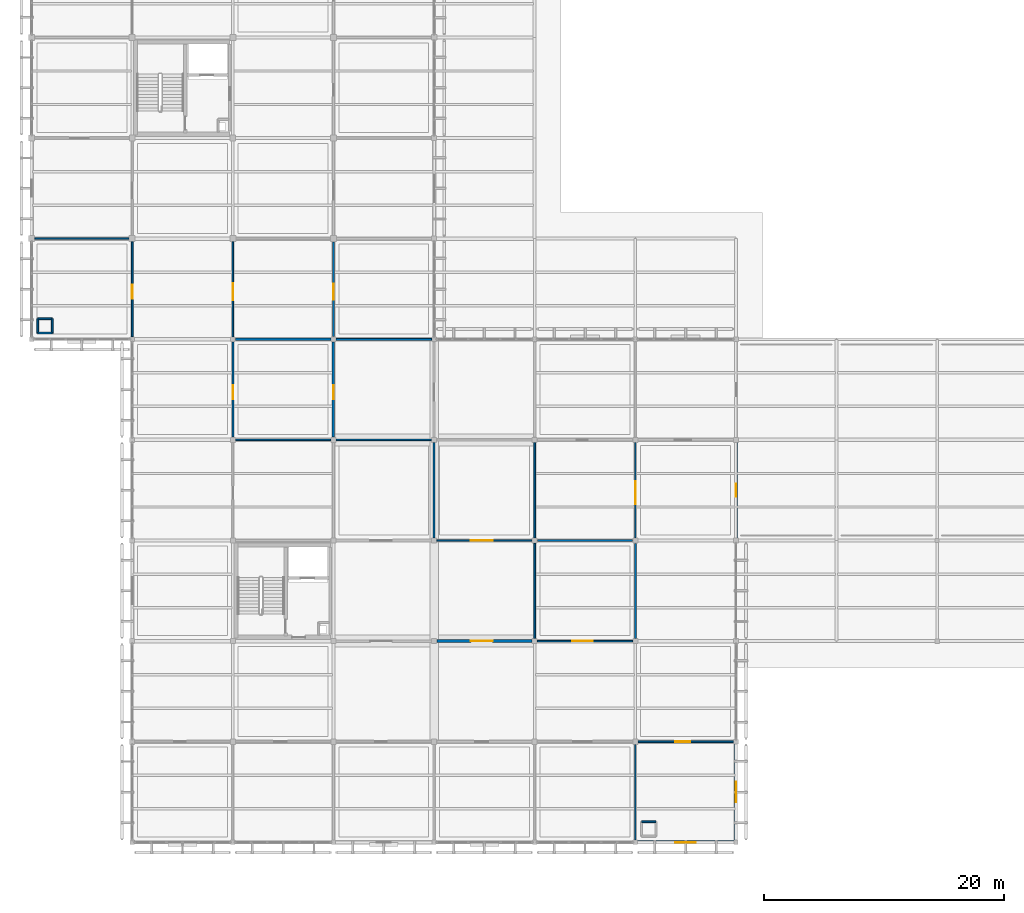
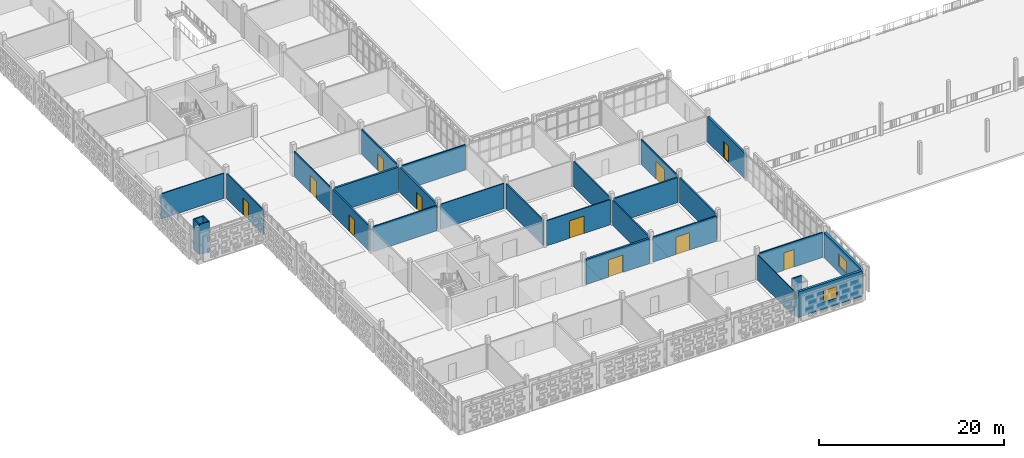
# One storey, part 97 of 166: 29 walls, 11 doors, 2 windows, 13 openings.
"""IFC4 building model written with IfcOpenShell, lengths in metres."""

from ifc_helpers import new_model, si_unit, direction, frame, frame_2d, origin, place, context, subcontext, project, spatial, rectangle, extrude, material, layer, layer_set, type_object, element, fill, save


model = new_model("IFC4")

# Units and contexts
model_context = context("Model", 3, precision=1e-05, world=origin(), true_north=direction((0.0, 1.0)))
body_context = subcontext(model_context, "Body", "Model", "MODEL_VIEW")
ifc_project = project(units=[si_unit("LENGTHUNIT", "METRE"), si_unit("AREAUNIT", "SQUARE_METRE"), si_unit("VOLUMEUNIT", "CUBIC_METRE"), si_unit("PLANEANGLEUNIT", "RADIAN"), si_unit("MASSUNIT", "GRAM", prefix="KILO")], contexts=[model_context])

# Site, building, storey
site_placement = place(None, origin())
site = spatial("IfcSite", under=ifc_project, at=site_placement, CompositionType="ELEMENT")
building_placement = place(site_placement, origin())
building = spatial("IfcBuilding", under=site, at=building_placement, Name="Varnapada Polytechnic", CompositionType="ELEMENT")
storey_placement = place(building_placement, frame((0.0, 0.0, 9.60009765625)))
storey = spatial("IfcBuildingStorey", under=building, at=storey_placement, Name="L02", CompositionType="ELEMENT", Elevation=9.60009765625)

# Walls
ifc_material_1 = material(Name="Autoclaved Aerated Concrete Block AAC-600", Category="concrete")
ifc_layer_1 = layer(ifc_material_1, 0.14990234375)
ifc_layer_set_1 = layer_set([ifc_layer_1], Name="Autoclaved Aerated Concrete Block AAC-600")
wall_type_1 = type_object("IfcWallType", Name="Interior Wall IW-02", PredefinedType="PARTITIONING", material=ifc_layer_set_1)
for number, where, z_axis, x_axis, name in (
    (1, (0.52001953125, 42.52001953125, 0.0), (0.0, 0.0, 1.0), (1.0, 0.0, 0.0), "L02 enclosed service riser wall (1,6) S"),
    (2, (1.719970703125, 42.52001953125, 0.0), (0.0, 0.0, 1.0), (0.0, 1.0, 0.0), "L02 enclosed service riser wall (1,6) E"),
    (3, (1.719970703125, 43.719970703125, 0.0), (0.0, 0.0, 1.0), (-1.0, 0.0, 0.0), "L02 enclosed service riser wall (1,6) N"),
    (4, (0.52001953125, 43.719970703125, 0.0), (0.0, 0.0, 1.0), (0.0, -1.0, 0.0), "L02 enclosed service riser wall (1,6) W"),
):
    element("IfcWall", number, at=place(storey_placement, frame(where, z_axis=z_axis, x_axis=x_axis)), inside=storey, type_object=wall_type_1, Name=name, PredefinedType="PARTITIONING", context=body_context, shape_type="SweptSolid", body=[
        extrude(rectangle(XDim=1.199951171875, YDim=0.14990234375, at=frame_2d((0.60009765625, 0.0))), origin(), (0.0, 0.0, 1.0), 3.9599609375),
    ])
wall_1_placement = place(storey_placement, frame((52.1201171875, 1.719970703125, 0.0), z_axis=(0.0, 0.0, 1.0), x_axis=(-1.0, 0.0, 0.0)))
element("IfcWall", 5, at=wall_1_placement, inside=storey, type_object=wall_type_1, Name="L02 enclosed service riser wall (7,1) N", PredefinedType="PARTITIONING", context=body_context, shape_type="SweptSolid", body=[
    extrude(rectangle(XDim=1.2001953125, YDim=0.14990234375, at=frame_2d((0.60009765625, 0.0))), origin(), (0.0, 0.0, 1.0), 3.929931640625),
])

# Wall, opening, door
wall_2_placement = place(storey_placement, frame((8.39990234375, 42.219970703125, 0.0), z_axis=(0.0, 0.0, 1.0), x_axis=(0.0, 1.0, 0.0)))
wall_2 = element("IfcWall", 6, at=wall_2_placement, inside=storey, type_object=wall_type_1, Name="L02 interior partition IW-L02-00-05-V", PredefinedType="PARTITIONING", context=body_context, shape_type="SweptSolid", body=[
    extrude(rectangle(XDim=7.909912109375, YDim=0.14990234375, at=frame_2d((3.955078125, 0.0))), origin(), (0.0, 0.0, 1.0), 3.31982421875),
])
opening_1_placement = place(wall_2_placement, frame((3.175048828125, 0.0, 0.0)))
opening_1 = element("IfcOpeningElement", 7, at=opening_1_placement, cuts=wall_2, Name="Opening D-1096", PredefinedType="OPENING", context=body_context, shape_type="SweptSolid", body=[
    extrude(rectangle(XDim=1.14990234375, YDim=2.25, at=frame_2d((0.574951171875, 1.125))), frame((0.0, 0.0849609375, 0.0), z_axis=(0.0, -1.0, 0.0), x_axis=(1.0, 0.0, 0.0)), (0.0, 0.0, 1.0), 0.169921875),
])
ifc_material_2 = material(Name="Powder-Coated Aluminium 6063-T6", Category="aluminium")
door_type_1 = type_object("IfcDoorType", Name="Interior Door ID-10", OperationType="NOTDEFINED", PredefinedType="DOOR", material=ifc_material_2)
door_1_placement = place(opening_1_placement, origin())
door_1 = element("IfcDoor", 8, at=door_1_placement, inside=storey, type_object=door_type_1, Name="L02 interior room door D-1096", OperationType="SINGLE_SWING_LEFT", OverallHeight=2.25, OverallWidth=1.14990234375, PredefinedType="DOOR", context=body_context, shape_type="SweptSolid", body=[
    extrude(rectangle(XDim=1.14990234375, YDim=2.25, at=frame_2d((0.574951171875, 1.125))), frame((0.0, 0.02490234375, 0.0), z_axis=(0.0, -1.0, 0.0), x_axis=(1.0, 0.0, 0.0)), (0.0, 0.0, 1.0), 0.050048828125),
])
fill(opening_1, door_1)

wall_3_placement = place(storey_placement, frame((25.199951171875, 42.219970703125, 0.0), z_axis=(0.0, 0.0, 1.0), x_axis=(0.0, 1.0, 0.0)))
wall_3 = element("IfcWall", 9, at=wall_3_placement, inside=storey, type_object=wall_type_1, Name="L02 interior partition IW-L02-02-05-V", PredefinedType="PARTITIONING", context=body_context, shape_type="SweptSolid", body=[
    extrude(rectangle(XDim=7.909912109375, YDim=0.14990234375, at=frame_2d((3.955078125, 0.0))), origin(), (0.0, 0.0, 1.0), 3.31982421875),
])
opening_2_placement = place(wall_3_placement, frame((3.10009765625, 0.0, 0.0)))
opening_2 = element("IfcOpeningElement", 10, at=opening_2_placement, cuts=wall_3, Name="Opening D-1114", PredefinedType="OPENING", context=body_context, shape_type="SweptSolid", body=[
    extrude(rectangle(XDim=1.300048828125, YDim=2.199951171875, at=frame_2d((0.64990234375, 1.10009765625))), frame((0.0, 0.0849609375, 0.0), z_axis=(0.0, -1.0, 0.0), x_axis=(1.0, 0.0, 0.0)), (0.0, 0.0, 1.0), 0.169921875),
])
ifc_material_3 = material(Name="Acoustic Laminated Timber Leaf", Category="wood")
door_type_2 = type_object("IfcDoorType", Name="Interior Door ID-11", OperationType="NOTDEFINED", PredefinedType="DOOR", material=ifc_material_3)
door_2_placement = place(opening_2_placement, origin())
door_2 = element("IfcDoor", 11, at=door_2_placement, inside=storey, type_object=door_type_2, Name="L02 interior room door D-1114", OperationType="SINGLE_SWING_LEFT", OverallHeight=2.199951171875, OverallWidth=1.300048828125, PredefinedType="DOOR", context=body_context, shape_type="SweptSolid", body=[
    extrude(rectangle(XDim=1.300048828125, YDim=2.199951171875, at=frame_2d((0.64990234375, 1.10009765625))), frame((0.0, 0.02490234375, 0.0), z_axis=(0.0, -1.0, 0.0), x_axis=(1.0, 0.0, 0.0)), (0.0, 0.0, 1.0), 0.050048828125),
])
fill(opening_2, door_2)

# Walls
wall_4_placement = place(storey_placement, frame((33.60009765625, 25.429931640625, 0.0), z_axis=(0.0, 0.0, 1.0), x_axis=(0.0, 1.0, 0.0)))
element("IfcWall", 12, at=wall_4_placement, inside=storey, type_object=wall_type_1, Name="L02 interior partition IW-L02-03-03-V", PredefinedType="PARTITIONING", context=body_context, shape_type="SweptSolid", body=[
    extrude(rectangle(XDim=7.940185546875, YDim=0.14990234375, at=frame_2d((3.97021484375, 0.0))), origin(), (0.0, 0.0, 1.0), 3.31982421875),
])
wall_5_placement = place(storey_placement, frame((42.0, 17.030029296875, 0.0), z_axis=(0.0, 0.0, 1.0), x_axis=(0.0, 1.0, 0.0)))
element("IfcWall", 13, at=wall_5_placement, inside=storey, type_object=wall_type_1, Name="L02 interior partition IW-L02-04-02-V", PredefinedType="PARTITIONING", context=body_context, shape_type="SweptSolid", body=[
    extrude(rectangle(XDim=7.93994140625, YDim=0.14990234375, at=frame_2d((3.969970703125, 0.0))), origin(), (0.0, 0.0, 1.0), 3.31982421875),
])
ifc_material_4 = material(Name="Gypsum Plasterboard Acoustic Partition")
ifc_layer_2 = layer(ifc_material_4, 0.125)
ifc_layer_set_2 = layer_set([ifc_layer_2], Name="Gypsum Plasterboard Acoustic Partition")
wall_type_2 = type_object("IfcWallType", Name="Interior Wall IW-03", PredefinedType="PARTITIONING", material=ifc_layer_set_2)
wall_6_placement = place(storey_placement, frame((0.27001953125, 50.39990234375, 0.0), z_axis=(0.0, 0.0, 1.0), x_axis=(1.0, 0.0, 0.0)))
element("IfcWall", 14, at=wall_6_placement, inside=storey, type_object=wall_type_2, Name="L02 interior partition IW-L02-00-05-H", PredefinedType="PARTITIONING", context=body_context, shape_type="SweptSolid", body=[
    extrude(rectangle(XDim=7.85986328125, YDim=0.125, at=frame_2d((3.929931640625, 0.0))), origin(), (0.0, 0.0, 1.0), 3.31982421875),
])
wall_7_placement = place(storey_placement, frame((25.429931640625, 33.60009765625, 0.0), z_axis=(0.0, 0.0, 1.0), x_axis=(1.0, 0.0, 0.0)))
element("IfcWall", 15, at=wall_7_placement, inside=storey, type_object=wall_type_2, Name="L02 interior partition IW-L02-03-03-H", PredefinedType="PARTITIONING", context=body_context, shape_type="SweptSolid", body=[
    extrude(rectangle(XDim=7.940185546875, YDim=0.125, at=frame_2d((3.97021484375, 0.0))), origin(), (0.0, 0.0, 1.0), 3.31982421875),
])

# Wall, opening, door
wall_8_placement = place(storey_placement, frame((33.830078125, 25.199951171875, 0.0), z_axis=(0.0, 0.0, 1.0), x_axis=(1.0, 0.0, 0.0)))
wall_8 = element("IfcWall", 16, at=wall_8_placement, inside=storey, type_object=wall_type_2, Name="L02 interior partition IW-L02-04-02-H", PredefinedType="PARTITIONING", context=body_context, shape_type="SweptSolid", body=[
    extrude(rectangle(XDim=7.93994140625, YDim=0.125, at=frame_2d((3.969970703125, 0.0))), origin(), (0.0, 0.0, 1.0), 3.31982421875),
])
opening_3_placement = place(wall_8_placement, frame((2.85009765625, 0.0, 0.0)))
opening_3 = element("IfcOpeningElement", 17, at=opening_3_placement, cuts=wall_8, Name="Opening D-1131", PredefinedType="OPENING", context=body_context, shape_type="SweptSolid", body=[
    extrude(rectangle(XDim=1.800048828125, YDim=2.300048828125, at=frame_2d((0.89990234375, 1.14990234375))), frame((0.0, 0.072509765625, 0.0), z_axis=(0.0, -1.0, 0.0), x_axis=(1.0, 0.0, 0.0)), (0.0, 0.0, 1.0), 0.14501953125),
])
ifc_material_5 = material(Name="Acoustic Double Timber Leaf", Category="wood")
door_type_3 = type_object("IfcDoorType", Name="Interior Door ID-04", OperationType="NOTDEFINED", PredefinedType="DOOR", material=ifc_material_5)
door_3_placement = place(opening_3_placement, origin())
door_3 = element("IfcDoor", 18, at=door_3_placement, inside=storey, type_object=door_type_3, Name="L02 interior room door D-1131", OperationType="SINGLE_SWING_RIGHT", OverallHeight=2.300048828125, OverallWidth=1.800048828125, PredefinedType="DOOR", context=body_context, shape_type="SweptSolid", body=[
    extrude(rectangle(XDim=1.800048828125, YDim=2.300048828125, at=frame_2d((0.89990234375, 1.14990234375))), frame((0.0, 0.02490234375, 0.0), z_axis=(0.0, -1.0, 0.0), x_axis=(1.0, 0.0, 0.0)), (0.0, 0.0, 1.0), 0.050048828125),
])
fill(opening_3, door_3)

# Walls
ifc_material_6 = material(Name="Moisture-Resistant Cement Board Partition")
ifc_layer_3 = layer(ifc_material_6, 0.139892578125)
ifc_layer_set_3 = layer_set([ifc_layer_3], Name="Moisture-Resistant Cement Board Partition")
wall_type_3 = type_object("IfcWallType", Name="Interior Wall IW-04", PredefinedType="PARTITIONING", material=ifc_layer_set_3)
wall_9_placement = place(storey_placement, frame((17.030029296875, 33.60009765625, 0.0), z_axis=(0.0, 0.0, 1.0), x_axis=(1.0, 0.0, 0.0)))
element("IfcWall", 19, at=wall_9_placement, inside=storey, type_object=wall_type_3, Name="L02 interior partition IW-L02-02-03-H", PredefinedType="PARTITIONING", context=body_context, shape_type="SweptSolid", body=[
    extrude(rectangle(XDim=7.93994140625, YDim=0.139892578125, at=frame_2d((3.969970703125, 0.0))), origin(), (0.0, 0.0, 1.0), 3.31982421875),
])
wall_10_placement = place(storey_placement, frame((42.0, 25.429931640625, 0.0), z_axis=(0.0, 0.0, 1.0), x_axis=(0.0, 1.0, 0.0)))
element("IfcWall", 20, at=wall_10_placement, inside=storey, type_object=wall_type_3, Name="L02 interior partition IW-L02-04-03-V", PredefinedType="PARTITIONING", context=body_context, shape_type="SweptSolid", body=[
    extrude(rectangle(XDim=7.940185546875, YDim=0.139892578125, at=frame_2d((3.97021484375, 0.0))), origin(), (0.0, 0.0, 1.0), 3.31982421875),
])
ifc_material_7 = material(Name="Cross-laminated timber CLT C24", Category="wood")
ifc_layer_4 = layer(ifc_material_7, 0.159912109375)
ifc_layer_set_4 = layer_set([ifc_layer_4], Name="Cross-laminated timber CLT C24")
wall_type_4 = type_object("IfcWallType", Name="Interior Wall IW-05", PredefinedType="PARTITIONING", material=ifc_layer_set_4)
wall_11_placement = place(storey_placement, frame((25.419921875, 42.0, 0.0), z_axis=(0.0, 0.0, 1.0), x_axis=(1.0, 0.0, 0.0)))
element("IfcWall", 21, at=wall_11_placement, inside=storey, type_object=wall_type_4, Name="L02 interior partition IW-L02-03-04-H", PredefinedType="PARTITIONING", context=body_context, shape_type="SweptSolid", body=[
    extrude(rectangle(XDim=7.969970703125, YDim=0.159912109375, at=frame_2d((3.98486328125, 0.0))), origin(), (0.0, 0.0, 1.0), 3.31982421875),
])

# Wall, opening, door
ifc_material_8 = material(Name="Acoustic Double-Stud Studio Partition")
ifc_layer_5 = layer(ifc_material_8, 0.179931640625)
ifc_layer_set_5 = layer_set([ifc_layer_5], Name="Acoustic Double-Stud Studio Partition")
wall_type_5 = type_object("IfcWallType", Name="Interior Wall IW-06", PredefinedType="PARTITIONING", material=ifc_layer_set_5)
wall_12_placement = place(storey_placement, frame((16.800048828125, 33.830078125, 0.0), z_axis=(0.0, 0.0, 1.0), x_axis=(0.0, 1.0, 0.0)))
wall_12 = element("IfcWall", 22, at=wall_12_placement, inside=storey, type_object=wall_type_5, Name="L02 interior partition IW-L02-01-04-V", PredefinedType="PARTITIONING", context=body_context, shape_type="SweptSolid", body=[
    extrude(rectangle(XDim=7.9599609375, YDim=0.179931640625, at=frame_2d((3.97998046875, 0.0))), origin(), (0.0, 0.0, 1.0), 3.31982421875),
])
opening_4_placement = place(wall_12_placement, frame((3.14990234375, 0.0, 0.0)))
opening_4 = element("IfcOpeningElement", 23, at=opening_4_placement, cuts=wall_12, Name="Opening D-1108", PredefinedType="OPENING", context=body_context, shape_type="SweptSolid", body=[
    extrude(rectangle(XDim=1.199951171875, YDim=2.199951171875, at=frame_2d((0.60009765625, 1.10009765625))), frame((0.0, 0.099853515625, 0.0), z_axis=(0.0, -1.0, 0.0), x_axis=(1.0, 0.0, 0.0)), (0.0, 0.0, 1.0), 0.199951171875),
])
ifc_material_9 = material(Name="Solid Teak Hardwood Timber", Category="wood")
door_type_4 = type_object("IfcDoorType", Name="Interior Door ID-05", OperationType="NOTDEFINED", PredefinedType="DOOR", material=ifc_material_9)
door_4_placement = place(opening_4_placement, origin())
door_4 = element("IfcDoor", 24, at=door_4_placement, inside=storey, type_object=door_type_4, Name="L02 interior room door D-1108", OperationType="SINGLE_SWING_LEFT", OverallHeight=2.199951171875, OverallWidth=1.199951171875, PredefinedType="DOOR", context=body_context, shape_type="SweptSolid", body=[
    extrude(rectangle(XDim=1.199951171875, YDim=2.199951171875, at=frame_2d((0.60009765625, 1.10009765625))), frame((0.0, 0.02490234375, 0.0), z_axis=(0.0, -1.0, 0.0), x_axis=(1.0, 0.0, 0.0)), (0.0, 0.0, 1.0), 0.050048828125),
])
fill(opening_4, door_4)

ifc_material_10 = material(Name="Glazed Timber-Framed Studio Screen", Category="wood")
ifc_layer_6 = layer(ifc_material_10, 0.110107421875)
ifc_layer_set_6 = layer_set([ifc_layer_6], Name="Glazed Timber-Framed Studio Screen")
wall_type_6 = type_object("IfcWallType", Name="Interior Wall IW-07", PredefinedType="PARTITIONING", material=ifc_layer_set_6)
wall_13_placement = place(storey_placement, frame((16.800048828125, 42.2099609375, 0.0), z_axis=(0.0, 0.0, 1.0), x_axis=(0.0, 1.0, 0.0)))
wall_13 = element("IfcWall", 25, at=wall_13_placement, inside=storey, type_object=wall_type_6, Name="L02 interior partition IW-L02-01-05-V", PredefinedType="PARTITIONING", context=body_context, shape_type="SweptSolid", body=[
    extrude(rectangle(XDim=7.919921875, YDim=0.110107421875, at=frame_2d((3.9599609375, 0.0))), origin(), (0.0, 0.0, 1.0), 3.31982421875),
])
opening_5_placement = place(wall_13_placement, frame((3.050048828125, 0.0, 0.0)))
opening_5 = element("IfcOpeningElement", 26, at=opening_5_placement, cuts=wall_13, Name="Opening D-1109", PredefinedType="OPENING", context=body_context, shape_type="SweptSolid", body=[
    extrude(rectangle(XDim=1.39990234375, YDim=2.25, at=frame_2d((0.699951171875, 1.125))), frame((0.0, 0.06494140625, 0.0), z_axis=(0.0, -1.0, 0.0), x_axis=(1.0, 0.0, 0.0)), (0.0, 0.0, 1.0), 0.130126953125),
])
door_type_5 = type_object("IfcDoorType", Name="Interior Door ID-06", OperationType="NOTDEFINED", PredefinedType="DOOR", material=ifc_material_2)
door_5_placement = place(opening_5_placement, frame((1.39990234375, 0.0, 0.0), z_axis=(0.0, 0.0, 1.0), x_axis=(-1.0, 0.0, 0.0)))
door_5 = element("IfcDoor", 27, at=door_5_placement, inside=storey, type_object=door_type_5, Name="L02 interior room door D-1109", OperationType="SINGLE_SWING_RIGHT", OverallHeight=2.25, OverallWidth=1.39990234375, PredefinedType="DOOR", context=body_context, shape_type="SweptSolid", body=[
    extrude(rectangle(XDim=1.39990234375, YDim=2.25, at=frame_2d((0.699951171875, 1.125))), frame((0.0, 0.02490234375, 0.0), z_axis=(0.0, -1.0, 0.0), x_axis=(1.0, 0.0, 0.0)), (0.0, 0.0, 1.0), 0.050048828125),
])
fill(opening_5, door_5)

# Wall
wall_14_placement = place(storey_placement, frame((50.39990234375, 0.199951171875, 0.0), z_axis=(0.0, 0.0, 1.0), x_axis=(0.0, 1.0, 0.0)))
element("IfcWall", 28, at=wall_14_placement, inside=storey, type_object=wall_type_6, Name="L02 interior partition IW-L02-05-00-V", PredefinedType="PARTITIONING", context=body_context, shape_type="SweptSolid", body=[
    extrude(rectangle(XDim=7.969970703125, YDim=0.110107421875, at=frame_2d((3.98486328125, 0.0))), origin(), (0.0, 0.0, 1.0), 3.31982421875),
])

# Wall, opening, door
ifc_material_11 = material(Name="Calcium Silicate Acoustic Lab Partition")
ifc_layer_7 = layer(ifc_material_11, 0.135009765625)
ifc_layer_set_7 = layer_set([ifc_layer_7], Name="Calcium Silicate Acoustic Lab Partition")
wall_type_7 = type_object("IfcWallType", Name="Interior Wall IW-09", PredefinedType="PARTITIONING", material=ifc_layer_set_7)
wall_15_placement = place(storey_placement, frame((42.22998046875, 16.800048828125, 0.0), z_axis=(0.0, 0.0, 1.0), x_axis=(1.0, 0.0, 0.0)))
wall_15 = element("IfcWall", 29, at=wall_15_placement, inside=storey, type_object=wall_type_7, Name="L02 interior partition IW-L02-05-01-H", PredefinedType="PARTITIONING", context=body_context, shape_type="SweptSolid", body=[
    extrude(rectangle(XDim=7.93994140625, YDim=0.135009765625, at=frame_2d((3.969970703125, 0.0))), origin(), (0.0, 0.0, 1.0), 3.31982421875),
])
opening_6_placement = place(wall_15_placement, frame((2.89990234375, 0.0, 0.0)))
opening_6 = element("IfcOpeningElement", 30, at=opening_6_placement, cuts=wall_15, Name="Opening D-1133", PredefinedType="OPENING", context=body_context, shape_type="SweptSolid", body=[
    extrude(rectangle(XDim=1.699951171875, YDim=2.300048828125, at=frame_2d((0.85009765625, 1.14990234375))), frame((0.0, 0.077392578125, 0.0), z_axis=(0.0, -1.0, 0.0), x_axis=(1.0, 0.0, 0.0)), (0.0, 0.0, 1.0), 0.155029296875),
])
door_type_6 = type_object("IfcDoorType", Name="Interior Door ID-13", OperationType="NOTDEFINED", PredefinedType="DOOR", material=ifc_material_5)
door_6_placement = place(opening_6_placement, frame((1.699951171875, 0.0, 0.0), z_axis=(0.0, 0.0, 1.0), x_axis=(-1.0, 0.0, 0.0)))
door_6 = element("IfcDoor", 31, at=door_6_placement, inside=storey, type_object=door_type_6, Name="L02 interior room door D-1133", OperationType="SINGLE_SWING_RIGHT", OverallHeight=2.300048828125, OverallWidth=1.699951171875, PredefinedType="DOOR", context=body_context, shape_type="SweptSolid", body=[
    extrude(rectangle(XDim=1.699951171875, YDim=2.300048828125, at=frame_2d((0.85009765625, 1.14990234375))), frame((0.0, 0.02490234375, 0.0), z_axis=(0.0, -1.0, 0.0), x_axis=(1.0, 0.0, 0.0)), (0.0, 0.0, 1.0), 0.050048828125),
])
fill(opening_6, door_6)

# Walls
ifc_material_12 = material(Name="Double-Layer Fireboard Workshop Wall")
ifc_layer_8 = layer(ifc_material_12, 0.169921875)
ifc_layer_set_8 = layer_set([ifc_layer_8], Name="Double-Layer Fireboard Workshop Wall")
wall_type_8 = type_object("IfcWallType", Name="Interior Wall IW-10", PredefinedType="PARTITIONING", material=ifc_layer_set_8)
wall_16_placement = place(storey_placement, frame((50.39990234375, 17.030029296875, 0.0), z_axis=(0.0, 0.0, 1.0), x_axis=(0.0, 1.0, 0.0)))
element("IfcWall", 32, at=wall_16_placement, inside=storey, type_object=wall_type_8, Name="L02 interior partition IW-L02-05-02-V", PredefinedType="PARTITIONING", context=body_context, shape_type="SweptSolid", body=[
    extrude(rectangle(XDim=7.93994140625, YDim=0.169921875, at=frame_2d((3.969970703125, 0.0))), origin(), (0.0, 0.0, 1.0), 3.31982421875),
])
ifc_material_13 = material(Name="Insulated Masonry Plant Room Wall", Category="masonry")
ifc_layer_9 = layer(ifc_material_13, 0.18994140625)
ifc_layer_set_9 = layer_set([ifc_layer_9], Name="Insulated Masonry Plant Room Wall")
wall_type_9 = type_object("IfcWallType", Name="Interior Wall IW-11", PredefinedType="PARTITIONING", material=ifc_layer_set_9)
wall_17_placement = place(storey_placement, frame((42.22998046875, 25.199951171875, 0.0), z_axis=(0.0, 0.0, 1.0), x_axis=(1.0, 0.0, 0.0)))
element("IfcWall", 33, at=wall_17_placement, inside=storey, type_object=wall_type_9, Name="L02 interior partition IW-L02-05-02-H", PredefinedType="PARTITIONING", context=body_context, shape_type="SweptSolid", body=[
    extrude(rectangle(XDim=7.93994140625, YDim=0.18994140625, at=frame_2d((3.969970703125, 0.0))), origin(), (0.0, 0.0, 1.0), 3.31982421875),
])

# Wall, opening, door
ifc_material_14 = material(Name="Timber-Stud Studio Critique Partition", Category="wood")
ifc_layer_10 = layer(ifc_material_14, 0.114990234375)
ifc_layer_set_10 = layer_set([ifc_layer_10], Name="Timber-Stud Studio Critique Partition")
wall_type_10 = type_object("IfcWallType", Name="Interior Wall IW-12", PredefinedType="PARTITIONING", material=ifc_layer_set_10)
wall_18_placement = place(storey_placement, frame((50.39990234375, 25.429931640625, 0.0), z_axis=(0.0, 0.0, 1.0), x_axis=(0.0, 1.0, 0.0)))
wall_18 = element("IfcWall", 34, at=wall_18_placement, inside=storey, type_object=wall_type_10, Name="L02 interior partition IW-L02-05-03-V", PredefinedType="PARTITIONING", context=body_context, shape_type="SweptSolid", body=[
    extrude(rectangle(XDim=7.940185546875, YDim=0.114990234375, at=frame_2d((3.97021484375, 0.0))), origin(), (0.0, 0.0, 1.0), 3.31982421875),
])
opening_7_placement = place(wall_18_placement, frame((2.800048828125, 0.0, 0.0)))
opening_7 = element("IfcOpeningElement", 35, at=opening_7_placement, cuts=wall_18, Name="Opening D-1134", PredefinedType="OPENING", context=body_context, shape_type="SweptSolid", body=[
    extrude(rectangle(XDim=1.89990234375, YDim=2.39990234375, at=frame_2d((0.949951171875, 1.199951171875))), frame((0.0, 0.0673828125, 0.0), z_axis=(0.0, -1.0, 0.0), x_axis=(1.0, 0.0, 0.0)), (0.0, 0.0, 1.0), 0.135009765625),
])
ifc_material_15 = material(Name="Heavy Workshop Double Steel Door", Category="steel")
door_type_7 = type_object("IfcDoorType", Name="Interior Door ID-14", OperationType="NOTDEFINED", PredefinedType="DOOR", material=ifc_material_15)
door_7_placement = place(opening_7_placement, origin())
door_7 = element("IfcDoor", 36, at=door_7_placement, inside=storey, type_object=door_type_7, Name="L02 interior room door D-1134", OperationType="SINGLE_SWING_LEFT", OverallHeight=2.39990234375, OverallWidth=1.89990234375, PredefinedType="DOOR", context=body_context, shape_type="SweptSolid", body=[
    extrude(rectangle(XDim=1.89990234375, YDim=2.39990234375, at=frame_2d((0.949951171875, 1.199951171875))), frame((0.0, 0.02490234375, 0.0), z_axis=(0.0, -1.0, 0.0), x_axis=(1.0, 0.0, 0.0)), (0.0, 0.0, 1.0), 0.050048828125),
])
fill(opening_7, door_7)

ifc_material_16 = material(Name="Perforated Timber-Lined Seminar Wall", Category="wood")
ifc_layer_11 = layer(ifc_material_16, 0.155029296875)
ifc_layer_set_11 = layer_set([ifc_layer_11], Name="Perforated Timber-Lined Seminar Wall")
wall_type_11 = type_object("IfcWallType", Name="Interior Wall IW-15", PredefinedType="PARTITIONING", material=ifc_layer_set_11)
wall_19_placement = place(storey_placement, frame((50.6298828125, 8.39990234375, 0.0), z_axis=(0.0, 0.0, 1.0), x_axis=(1.0, 0.0, 0.0)))
wall_19 = element("IfcWall", 37, at=wall_19_placement, inside=storey, type_object=wall_type_11, Name="L02 interior partition IW-L02-06-00-H", PredefinedType="PARTITIONING", context=body_context, shape_type="SweptSolid", body=[
    extrude(rectangle(XDim=7.9501953125, YDim=0.155029296875, at=frame_2d((3.97509765625, 0.0))), origin(), (0.0, 0.0, 1.0), 3.31982421875),
])
opening_8_placement = place(wall_19_placement, frame((3.125, 0.0, 0.0)))
opening_8 = element("IfcOpeningElement", 38, at=opening_8_placement, cuts=wall_19, Name="Opening D-1136", PredefinedType="OPENING", context=body_context, shape_type="SweptSolid", body=[
    extrude(rectangle(XDim=1.25, YDim=2.300048828125, at=frame_2d((0.625, 1.14990234375))), frame((0.0, 0.08740234375, 0.0), z_axis=(0.0, -1.0, 0.0), x_axis=(1.0, 0.0, 0.0)), (0.0, 0.0, 1.0), 0.175048828125),
])
door_type_8 = type_object("IfcDoorType", Name="Interior Door ID-16", OperationType="NOTDEFINED", PredefinedType="DOOR", material=ifc_material_9)
door_8_placement = place(opening_8_placement, frame((1.25, 0.0, 0.0), z_axis=(0.0, 0.0, 1.0), x_axis=(-1.0, 0.0, 0.0)))
door_8 = element("IfcDoor", 39, at=door_8_placement, inside=storey, type_object=door_type_8, Name="L02 interior room door D-1136", OperationType="SINGLE_SWING_LEFT", OverallHeight=2.300048828125, OverallWidth=1.25, PredefinedType="DOOR", context=body_context, shape_type="SweptSolid", body=[
    extrude(rectangle(XDim=1.25, YDim=2.300048828125, at=frame_2d((0.625, 1.14990234375))), frame((0.0, 0.02490234375, 0.0), z_axis=(0.0, -1.0, 0.0), x_axis=(1.0, 0.0, 0.0)), (0.0, 0.0, 1.0), 0.050048828125),
])
fill(opening_8, door_8)

ifc_material_17 = material(Name="Heavy Masonry Workshop Partition", Category="masonry")
ifc_layer_12 = layer(ifc_material_17, 0.2099609375)
ifc_layer_set_12 = layer_set([ifc_layer_12], Name="Heavy Masonry Workshop Partition")
wall_type_12 = type_object("IfcWallType", Name="Interior Wall IW-16", PredefinedType="PARTITIONING", material=ifc_layer_set_12)
wall_20_placement = place(storey_placement, frame((25.199951171875, 33.830078125, 0.0), z_axis=(0.0, 0.0, 1.0), x_axis=(0.0, 1.0, 0.0)))
wall_20 = element("IfcWall", 40, at=wall_20_placement, inside=storey, type_object=wall_type_12, Name="L02 interior partition IW-L02-02-04-V", PredefinedType="PARTITIONING", context=body_context, shape_type="SweptSolid", body=[
    extrude(rectangle(XDim=7.949951171875, YDim=0.2099609375, at=frame_2d((3.97509765625, 0.0))), origin(), (0.0, 0.0, 1.0), 3.31982421875),
])
opening_9_placement = place(wall_20_placement, frame((3.175048828125, 0.0, 0.0)))
opening_9 = element("IfcOpeningElement", 41, at=opening_9_placement, cuts=wall_20, Name="Opening D-1113", PredefinedType="OPENING", context=body_context, shape_type="SweptSolid", body=[
    extrude(rectangle(XDim=1.14990234375, YDim=2.25, at=frame_2d((0.574951171875, 1.125))), frame((0.0, 0.114990234375, 0.0), z_axis=(0.0, -1.0, 0.0), x_axis=(1.0, 0.0, 0.0)), (0.0, 0.0, 1.0), 0.22998046875),
])
door_9_placement = place(opening_9_placement, origin())
door_9 = element("IfcDoor", 42, at=door_9_placement, inside=storey, type_object=door_type_1, Name="L02 interior room door D-1113", OperationType="SINGLE_SWING_RIGHT", OverallHeight=2.25, OverallWidth=1.14990234375, PredefinedType="DOOR", context=body_context, shape_type="SweptSolid", body=[
    extrude(rectangle(XDim=1.14990234375, YDim=2.25, at=frame_2d((0.574951171875, 1.125))), frame((0.0, 0.02490234375, 0.0), z_axis=(0.0, -1.0, 0.0), x_axis=(1.0, 0.0, 0.0)), (0.0, 0.0, 1.0), 0.050048828125),
])
fill(opening_9, door_9)

# Wall
ifc_material_18 = material(Name="Double-Leaf Acoustic Lecture Wall")
ifc_layer_13 = layer(ifc_material_18, 0.235107421875)
ifc_layer_set_13 = layer_set([ifc_layer_13], Name="Double-Leaf Acoustic Lecture Wall")
wall_type_13 = type_object("IfcWallType", Name="Interior Wall IW-17", PredefinedType="PARTITIONING", material=ifc_layer_set_13)
wall_21_placement = place(storey_placement, frame((17.010009765625, 42.0, 0.0), z_axis=(0.0, 0.0, 1.0), x_axis=(1.0, 0.0, 0.0)))
element("IfcWall", 43, at=wall_21_placement, inside=storey, type_object=wall_type_13, Name="L02 interior partition IW-L02-02-04-H", PredefinedType="PARTITIONING", context=body_context, shape_type="SweptSolid", body=[
    extrude(rectangle(XDim=7.969970703125, YDim=0.235107421875, at=frame_2d((3.98486328125, 0.0))), origin(), (0.0, 0.0, 1.0), 3.31982421875),
])

# Wall, opening, door
wall_22_placement = place(storey_placement, frame((33.830078125, 16.800048828125, 0.0), z_axis=(0.0, 0.0, 1.0), x_axis=(1.0, 0.0, 0.0)))
wall_22 = element("IfcWall", 44, at=wall_22_placement, inside=storey, type_object=wall_type_13, Name="L02 interior partition IW-L02-04-01-H", PredefinedType="PARTITIONING", context=body_context, shape_type="SweptSolid", body=[
    extrude(rectangle(XDim=7.93994140625, YDim=0.235107421875, at=frame_2d((3.969970703125, 0.0))), origin(), (0.0, 0.0, 1.0), 3.31982421875),
])
opening_10_placement = place(wall_22_placement, frame((2.85009765625, 0.0, 0.0)))
opening_10 = element("IfcOpeningElement", 45, at=opening_10_placement, cuts=wall_22, Name="Opening D-1130", PredefinedType="OPENING", context=body_context, shape_type="SweptSolid", body=[
    extrude(rectangle(XDim=1.800048828125, YDim=2.300048828125, at=frame_2d((0.89990234375, 1.14990234375))), frame((0.0, 0.12744140625, 0.0), z_axis=(0.0, -1.0, 0.0), x_axis=(1.0, 0.0, 0.0)), (0.0, 0.0, 1.0), 0.255126953125),
])
door_10_placement = place(opening_10_placement, frame((1.800048828125, 0.0, 0.0), z_axis=(0.0, 0.0, 1.0), x_axis=(-1.0, 0.0, 0.0)))
door_10 = element("IfcDoor", 46, at=door_10_placement, inside=storey, type_object=door_type_3, Name="L02 interior room door D-1130", OperationType="SINGLE_SWING_LEFT", OverallHeight=2.300048828125, OverallWidth=1.800048828125, PredefinedType="DOOR", context=body_context, shape_type="SweptSolid", body=[
    extrude(rectangle(XDim=1.800048828125, YDim=2.300048828125, at=frame_2d((0.89990234375, 1.14990234375))), frame((0.0, 0.02490234375, 0.0), z_axis=(0.0, -1.0, 0.0), x_axis=(1.0, 0.0, 0.0)), (0.0, 0.0, 1.0), 0.050048828125),
])
fill(opening_10, door_10)

# Wall, opening, window
ifc_material_19 = material(Name="Precast concrete C40/50", Category="concrete")
ifc_layer_14 = layer(ifc_material_19, 0.300048828125)
ifc_layer_set_14 = layer_set([ifc_layer_14], Name="Precast concrete C40/50")
wall_type_14 = type_object("IfcWallType", Name="Wall EW-01", PredefinedType="SOLIDWALL", material=ifc_layer_set_14)
wall_23_placement = place(storey_placement, frame((58.6201171875, 0.0, 0.0), z_axis=(0.0, 0.0, 1.0), x_axis=(-1.0, 0.0, 0.0)))
wall_23 = element("IfcWall", 47, at=wall_23_placement, inside=storey, type_object=wall_type_14, Name="L02 exterior wall EW-01 (38)", PredefinedType="SOLIDWALL", context=body_context, shape_type="SweptSolid", body=[
    extrude(rectangle(XDim=8.0400390625, YDim=0.300048828125, at=frame_2d((4.02001953125, 0.0))), origin(), (0.0, 0.0, 1.0), 3.35986328125),
])
opening_11_placement = place(wall_23_placement, frame((3.169921875, 0.0, 0.89990234375)))
opening_11 = element("IfcOpeningElement", 48, at=opening_11_placement, cuts=wall_23, Name="Opening WN-16", PredefinedType="OPENING", context=body_context, shape_type="SweptSolid", body=[
    extrude(rectangle(XDim=1.699951171875, YDim=1.550048828125, at=frame_2d((0.85009765625, 0.77490234375))), frame((0.0, 0.159912109375, 0.0), z_axis=(0.0, -1.0, 0.0), x_axis=(1.0, 0.0, 0.0)), (0.0, 0.0, 1.0), 0.320068359375),
])
ifc_material_20 = material(Name="Double low-E laminated glass", Category="glass")
window_type = type_object("IfcWindowType", Name="Window WN-16", PartitioningType="SINGLE_PANEL", PredefinedType="WINDOW", material=ifc_material_20)
window_1_placement = place(opening_11_placement, origin())
window_1 = element("IfcWindow", 49, at=window_1_placement, inside=storey, type_object=window_type, Name="L02 window WN-16 (113)", OverallHeight=1.550048828125, OverallWidth=1.699951171875, PartitioningType="SINGLE_PANEL", PredefinedType="WINDOW", context=body_context, shape_type="SweptSolid", body=[
    extrude(rectangle(XDim=1.699951171875, YDim=1.550048828125, at=frame_2d((0.85009765625, 0.77490234375))), frame((0.0, 0.030029296875, 0.0), z_axis=(0.0, -1.0, 0.0), x_axis=(1.0, 0.0, 0.0)), (0.0, 0.0, 1.0), 0.06005859375),
])
fill(opening_11, window_1)

wall_24_placement = place(storey_placement, frame((58.800048828125, 8.199951171875, 0.0), z_axis=(0.0, 0.0, 1.0), x_axis=(0.0, -1.0, 0.0)))
wall_24 = element("IfcWall", 50, at=wall_24_placement, inside=storey, type_object=wall_type_14, Name="L02 exterior wall EW-01 (39)", PredefinedType="SOLIDWALL", context=body_context, shape_type="SweptSolid", body=[
    extrude(rectangle(XDim=8.02001953125, YDim=0.300048828125, at=frame_2d((4.010009765625, 0.0))), origin(), (0.0, 0.0, 1.0), 3.35986328125),
])
opening_12_placement = place(wall_24_placement, frame((3.159912109375, 0.0, 0.89990234375)))
opening_12 = element("IfcOpeningElement", 51, at=opening_12_placement, cuts=wall_24, Name="Opening WN-16", PredefinedType="OPENING", context=body_context, shape_type="SweptSolid", body=[
    extrude(rectangle(XDim=1.699951171875, YDim=1.550048828125, at=frame_2d((0.85009765625, 0.77490234375))), frame((0.0, 0.159912109375, 0.0), z_axis=(0.0, -1.0, 0.0), x_axis=(1.0, 0.0, 0.0)), (0.0, 0.0, 1.0), 0.320068359375),
])
window_2_placement = place(opening_12_placement, origin())
window_2 = element("IfcWindow", 52, at=window_2_placement, inside=storey, type_object=window_type, Name="L02 window WN-16 (114)", OverallHeight=1.550048828125, OverallWidth=1.699951171875, PartitioningType="SINGLE_PANEL", PredefinedType="WINDOW", context=body_context, shape_type="SweptSolid", body=[
    extrude(rectangle(XDim=1.699951171875, YDim=1.550048828125, at=frame_2d((0.85009765625, 0.77490234375))), frame((0.0, 0.030029296875, 0.0), z_axis=(0.0, -1.0, 0.0), x_axis=(1.0, 0.0, 0.0)), (0.0, 0.0, 1.0), 0.06005859375),
])
fill(opening_12, window_2)

# Wall, opening, door
ifc_layer_15 = layer(ifc_material_19, 0.260009765625)
ifc_layer_set_15 = layer_set([ifc_layer_15], Name="Precast concrete C40/50")
wall_type_15 = type_object("IfcWallType", Name="Wall EW-03", PredefinedType="SOLIDWALL", material=ifc_layer_set_15)
wall_25_placement = place(storey_placement, frame((58.800048828125, 33.39990234375, 0.0), z_axis=(0.0, 0.0, 1.0), x_axis=(0.0, -1.0, 0.0)))
wall_25 = element("IfcWall", 53, at=wall_25_placement, inside=storey, type_object=wall_type_15, Name="L02 exterior wall EW-03 (42)", PredefinedType="SOLIDWALL", context=body_context, shape_type="SweptSolid", body=[
    extrude(rectangle(XDim=8.0, YDim=0.260009765625, at=frame_2d((4.0, 0.0))), origin(), (0.0, 0.0, 1.0), 3.35986328125),
])
opening_13_placement = place(wall_25_placement, frame((3.449951171875, 0.0, 0.0)))
opening_13 = element("IfcOpeningElement", 54, at=opening_13_placement, cuts=wall_25, Name="Opening D-028", PredefinedType="OPENING", context=body_context, shape_type="SweptSolid", body=[
    extrude(rectangle(XDim=1.10009765625, YDim=2.199951171875, at=frame_2d((0.550048828125, 1.10009765625))), frame((0.0, 0.139892578125, 0.0), z_axis=(0.0, -1.0, 0.0), x_axis=(1.0, 0.0, 0.0)), (0.0, 0.0, 1.0), 0.280029296875),
])
ifc_material_21 = material(Name="Anodised aluminium and laminated glass", Category="aluminium")
door_type_9 = type_object("IfcDoorType", Name="Exterior Door ED-03", OperationType="NOTDEFINED", PredefinedType="DOOR", material=ifc_material_21)
door_11_placement = place(opening_13_placement, origin())
door_11 = element("IfcDoor", 55, at=door_11_placement, inside=storey, type_object=door_type_9, Name="L02 roof terrace access door D-028", OperationType="SINGLE_SWING_RIGHT", OverallHeight=2.199951171875, OverallWidth=1.10009765625, PredefinedType="DOOR", context=body_context, shape_type="SweptSolid", body=[
    extrude(rectangle(XDim=1.10009765625, YDim=2.199951171875, at=frame_2d((0.550048828125, 1.10009765625))), frame((0.0, 0.02490234375, 0.0), z_axis=(0.0, -1.0, 0.0), x_axis=(1.0, 0.0, 0.0)), (0.0, 0.0, 1.0), 0.050048828125),
])
fill(opening_13, door_11)

save(model, "model.ifc")
